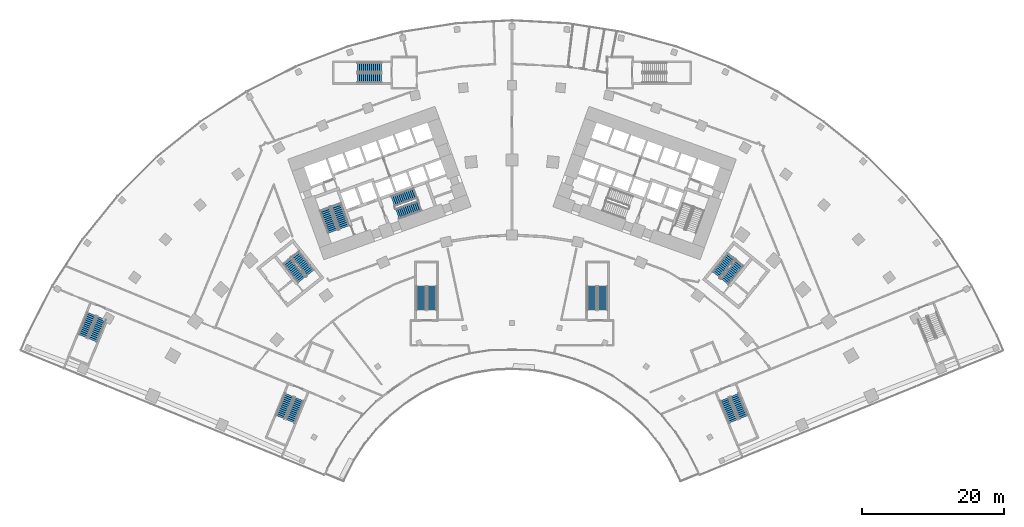
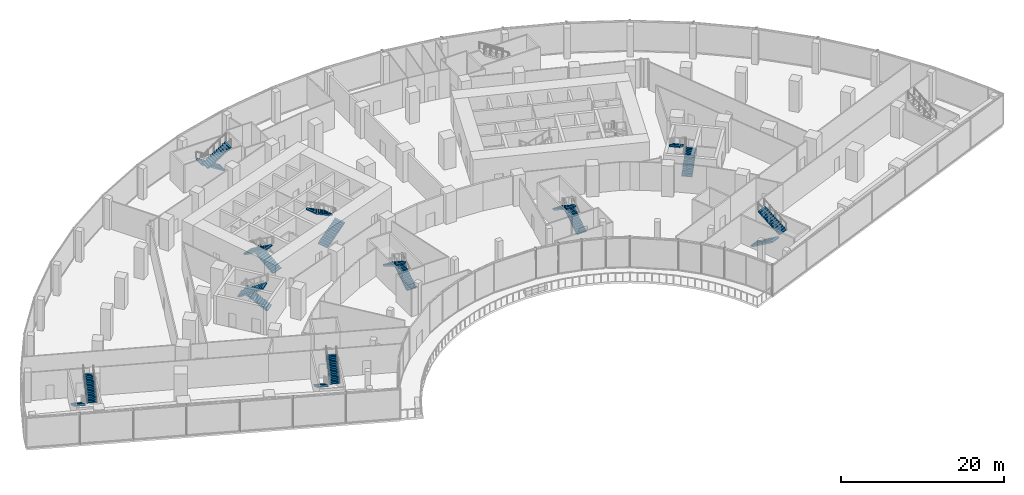
# One storey, part 30 of 39: 20 stair flights, 10 elements without a shape of their own.
"""IFC4 building model written with IfcOpenShell, lengths in metres."""

from ifc_helpers import new_model, si_unit, direction, frame, origin, place, context, subcontext, project, spatial, polyline, outline, extrude, material, layer, layer_set, type_object, element, aggregate, save


model = new_model("IFC4")

# Units and contexts
model_context = context("Model", 3, precision=1e-05, world=origin(), true_north=direction((0.0, 1.0)))
body_context = subcontext(model_context, "Body", "Model", "MODEL_VIEW")
ifc_project = project(units=[si_unit("LENGTHUNIT", "METRE"), si_unit("AREAUNIT", "SQUARE_METRE"), si_unit("VOLUMEUNIT", "CUBIC_METRE"), si_unit("PLANEANGLEUNIT", "RADIAN"), si_unit("MASSUNIT", "GRAM", prefix="KILO")], contexts=[model_context])

# Site, building, storey
site_placement = place(None, origin())
site = spatial("IfcSite", under=ifc_project, at=site_placement, CompositionType="ELEMENT")
building_placement = place(site_placement, origin())
building = spatial("IfcBuilding", under=site, at=building_placement, Name="Stone Belt Terrace Tower", CompositionType="ELEMENT")
storey_placement = place(building_placement, frame((0.0, 0.0, 20.800048828125)))
storey = spatial("IfcBuildingStorey", under=building, at=storey_placement, Name="L04", CompositionType="ELEMENT", Elevation=20.800048828125)

# Stair, stair flights
ifc_material_1 = material(Name="Concrete B30", Category="concrete")
stair_type_1 = type_object("IfcStairType", Name="Podium stair concrete B30", PredefinedType="HALF_TURN_STAIR", material=ifc_material_1)
stair_1_placement = place(storey_placement, origin())
stair_1 = element("IfcStair", 1, at=stair_1_placement, inside=storey, type_object=stair_type_1, Name="L04 podium exit stair 1", PredefinedType="HALF_TURN_STAIR")
ifc_layer = layer(ifc_material_1, 0.14990234375)
ifc_layer_set = layer_set([ifc_layer], Name="Podium stair flight concrete B30")
stair_flight_type_1 = type_object("IfcStairFlightType", Name="Podium stair flight concrete B30", PredefinedType="STRAIGHT", material=ifc_layer_set)
stair_flight_1_placement = place(storey_placement, frame((-31.255126953125, 21.964111328125, 0.0), z_axis=(0.0, 0.0, 1.0), x_axis=(-0.37924309334, -0.925297074541, 0.0)))
stair_flight_1 = element("IfcStairFlight", 2, at=stair_flight_1_placement, type_object=stair_flight_type_1, Name="PS1 flight 1", NumberOfRisers=13, NumberOfTreads=12, PredefinedType="STRAIGHT", RiserHeight=0.176923077, TreadLength=0.28, context=body_context, shape_type="SweptSolid", body=[
    extrude(outline(polyline([(0.0, 0.0), (0.0, 0.177001953125), (0.280029296875, 0.177001953125), (0.280029296875, 0.353759765625), (0.56005859375, 0.353759765625), (0.56005859375, 0.53076171875), (0.840087890625, 0.53076171875), (0.840087890625, 0.707763671875), (1.1201171875, 0.707763671875), (1.1201171875, 0.884521484375), (1.39990234375, 0.884521484375), (1.39990234375, 1.0615234375), (1.679931640625, 1.0615234375), (1.679931640625, 1.238525390625), (1.9599609375, 1.238525390625), (1.9599609375, 1.415283203125), (2.239990234375, 1.415283203125), (2.239990234375, 1.59228515625), (2.52001953125, 1.59228515625), (2.52001953125, 1.769287109375), (2.800048828125, 1.769287109375), (2.800048828125, 1.946044921875), (3.080078125, 1.946044921875), (3.080078125, 2.123046875), (3.360107421875, 2.123046875), (3.360107421875, 2.300048828125), (3.360107421875, 1.94580078125), (0.280517578125, 0.0), (0.0, 0.0)])), frame((0.0, 0.675048828125, 0.0), z_axis=(0.0, -1.0, 0.0), x_axis=(1.0, 0.0, 0.0)), (0.0, 0.0, 1.0), 1.35009765625),
])
stair_flight_2_placement = place(storey_placement, frame((-31.141357421875, 18.2861328125, 2.300048828125), z_axis=(0.0, 0.0, 1.0), x_axis=(0.37924309334, 0.925297074541, 0.0)))
stair_flight_2 = element("IfcStairFlight", 3, at=stair_flight_2_placement, type_object=stair_flight_type_1, Name="PS1 flight 2", NumberOfRisers=13, NumberOfTreads=12, PredefinedType="STRAIGHT", RiserHeight=0.176923077, TreadLength=0.28, context=body_context, shape_type="SweptSolid", body=[
    extrude(outline(polyline([(0.0, 0.0), (0.0, 0.177001953125), (0.280029296875, 0.177001953125), (0.280029296875, 0.353759765625), (0.56005859375, 0.353759765625), (0.56005859375, 0.53076171875), (0.840087890625, 0.53076171875), (0.840087890625, 0.707763671875), (1.1201171875, 0.707763671875), (1.1201171875, 0.884521484375), (1.39990234375, 0.884521484375), (1.39990234375, 1.0615234375), (1.679931640625, 1.0615234375), (1.679931640625, 1.238525390625), (1.9599609375, 1.238525390625), (1.9599609375, 1.415283203125), (2.239990234375, 1.415283203125), (2.239990234375, 1.59228515625), (2.52001953125, 1.59228515625), (2.52001953125, 1.769287109375), (2.800048828125, 1.769287109375), (2.800048828125, 1.946044921875), (3.080078125, 1.946044921875), (3.080078125, 2.123046875), (3.360107421875, 2.123046875), (3.360107421875, 2.300048828125), (3.360107421875, 1.94580078125), (0.280517578125, 0.0), (0.0, 0.0)])), frame((0.0, 0.675048828125, 0.0), z_axis=(0.0, -1.0, 0.0), x_axis=(1.0, 0.0, 0.0)), (0.0, 0.0, 1.0), 1.35009765625),
])
aggregate(stair_1, [stair_flight_1, stair_flight_2])

stair_2_placement = place(storey_placement, origin())
stair_2 = element("IfcStair", 4, at=stair_2_placement, inside=storey, type_object=stair_type_1, Name="L04 podium exit stair 2", PredefinedType="HALF_TURN_STAIR")
stair_flight_3_placement = place(storey_placement, frame((-59.01416015625, 33.34130859375, 0.0), z_axis=(0.0, 0.0, 1.0), x_axis=(-0.37924309334, -0.925297074541, 0.0)))
stair_flight_3 = element("IfcStairFlight", 5, at=stair_flight_3_placement, type_object=stair_flight_type_1, Name="PS2 flight 1", NumberOfRisers=13, NumberOfTreads=12, PredefinedType="STRAIGHT", RiserHeight=0.176923077, TreadLength=0.28, context=body_context, shape_type="SweptSolid", body=[
    extrude(outline(polyline([(0.0, 0.0), (0.0, 0.177001953125), (0.280029296875, 0.177001953125), (0.280029296875, 0.353759765625), (0.56005859375, 0.353759765625), (0.56005859375, 0.53076171875), (0.840087890625, 0.53076171875), (0.840087890625, 0.707763671875), (1.1201171875, 0.707763671875), (1.1201171875, 0.884521484375), (1.39990234375, 0.884521484375), (1.39990234375, 1.0615234375), (1.679931640625, 1.0615234375), (1.679931640625, 1.238525390625), (1.9599609375, 1.238525390625), (1.9599609375, 1.415283203125), (2.239990234375, 1.415283203125), (2.239990234375, 1.59228515625), (2.52001953125, 1.59228515625), (2.52001953125, 1.769287109375), (2.800048828125, 1.769287109375), (2.800048828125, 1.946044921875), (3.080078125, 1.946044921875), (3.080078125, 2.123046875), (3.360107421875, 2.123046875), (3.360107421875, 2.300048828125), (3.360107421875, 1.94580078125), (0.280517578125, 0.0), (0.0, 0.0)])), frame((0.0, 0.675048828125, 0.0), z_axis=(0.0, -1.0, 0.0), x_axis=(1.0, 0.0, 0.0)), (0.0, 0.0, 1.0), 1.35009765625),
])
stair_flight_4_placement = place(storey_placement, frame((-58.900390625, 29.66357421875, 2.300048828125), z_axis=(0.0, 0.0, 1.0), x_axis=(0.37924309334, 0.925297074541, 0.0)))
stair_flight_4 = element("IfcStairFlight", 6, at=stair_flight_4_placement, type_object=stair_flight_type_1, Name="PS2 flight 2", NumberOfRisers=13, NumberOfTreads=12, PredefinedType="STRAIGHT", RiserHeight=0.176923077, TreadLength=0.28, context=body_context, shape_type="SweptSolid", body=[
    extrude(outline(polyline([(0.0, 0.0), (0.0, 0.177001953125), (0.280029296875, 0.177001953125), (0.280029296875, 0.353759765625), (0.56005859375, 0.353759765625), (0.56005859375, 0.53076171875), (0.840087890625, 0.53076171875), (0.840087890625, 0.707763671875), (1.1201171875, 0.707763671875), (1.1201171875, 0.884521484375), (1.39990234375, 0.884521484375), (1.39990234375, 1.0615234375), (1.679931640625, 1.0615234375), (1.679931640625, 1.238525390625), (1.9599609375, 1.238525390625), (1.9599609375, 1.415283203125), (2.239990234375, 1.415283203125), (2.239990234375, 1.59228515625), (2.52001953125, 1.59228515625), (2.52001953125, 1.769287109375), (2.800048828125, 1.769287109375), (2.800048828125, 1.946044921875), (3.080078125, 1.946044921875), (3.080078125, 2.123046875), (3.360107421875, 2.123046875), (3.360107421875, 2.300048828125), (3.360107421875, 1.94580078125), (0.280517578125, 0.0), (0.0, 0.0)])), frame((0.0, 0.675048828125, 0.0), z_axis=(0.0, -1.0, 0.0), x_axis=(1.0, 0.0, 0.0)), (0.0, 0.0, 1.0), 1.35009765625),
])
aggregate(stair_2, [stair_flight_3, stair_flight_4])

stair_3_placement = place(storey_placement, origin())
stair_3 = element("IfcStair", 7, at=stair_3_placement, inside=storey, type_object=stair_type_1, Name="L04 podium exit stair 3", PredefinedType="HALF_TURN_STAIR")
stair_flight_5_placement = place(storey_placement, frame((29.8671875, 21.395263671875, 0.0), z_axis=(0.0, 0.0, 1.0), x_axis=(0.37924309334, -0.925297074541, 0.0)))
stair_flight_5 = element("IfcStairFlight", 8, at=stair_flight_5_placement, type_object=stair_flight_type_1, Name="PS3 flight 1", NumberOfRisers=13, NumberOfTreads=12, PredefinedType="STRAIGHT", RiserHeight=0.176923077, TreadLength=0.28, context=body_context, shape_type="SweptSolid", body=[
    extrude(outline(polyline([(0.0, 0.0), (0.0, 0.177001953125), (0.280029296875, 0.177001953125), (0.280029296875, 0.353759765625), (0.56005859375, 0.353759765625), (0.56005859375, 0.53076171875), (0.840087890625, 0.53076171875), (0.840087890625, 0.707763671875), (1.1201171875, 0.707763671875), (1.1201171875, 0.884521484375), (1.39990234375, 0.884521484375), (1.39990234375, 1.0615234375), (1.679931640625, 1.0615234375), (1.679931640625, 1.238525390625), (1.9599609375, 1.238525390625), (1.9599609375, 1.415283203125), (2.239990234375, 1.415283203125), (2.239990234375, 1.59228515625), (2.52001953125, 1.59228515625), (2.52001953125, 1.769287109375), (2.800048828125, 1.769287109375), (2.800048828125, 1.946044921875), (3.080078125, 1.946044921875), (3.080078125, 2.123046875), (3.360107421875, 2.123046875), (3.360107421875, 2.300048828125), (3.360107421875, 1.94580078125), (0.280517578125, 0.0), (0.0, 0.0)])), frame((0.0, 0.675048828125, 0.0), z_axis=(0.0, -1.0, 0.0), x_axis=(1.0, 0.0, 0.0)), (0.0, 0.0, 1.0), 1.35009765625),
])
stair_flight_6_placement = place(storey_placement, frame((32.529296875, 18.85498046875, 2.300048828125), z_axis=(0.0, 0.0, 1.0), x_axis=(-0.37924309334, 0.925297074541, 0.0)))
stair_flight_6 = element("IfcStairFlight", 9, at=stair_flight_6_placement, type_object=stair_flight_type_1, Name="PS3 flight 2", NumberOfRisers=13, NumberOfTreads=12, PredefinedType="STRAIGHT", RiserHeight=0.176923077, TreadLength=0.28, context=body_context, shape_type="SweptSolid", body=[
    extrude(outline(polyline([(0.0, 0.0), (0.0, 0.177001953125), (0.280029296875, 0.177001953125), (0.280029296875, 0.353759765625), (0.56005859375, 0.353759765625), (0.56005859375, 0.53076171875), (0.840087890625, 0.53076171875), (0.840087890625, 0.707763671875), (1.1201171875, 0.707763671875), (1.1201171875, 0.884521484375), (1.39990234375, 0.884521484375), (1.39990234375, 1.0615234375), (1.679931640625, 1.0615234375), (1.679931640625, 1.238525390625), (1.9599609375, 1.238525390625), (1.9599609375, 1.415283203125), (2.239990234375, 1.415283203125), (2.239990234375, 1.59228515625), (2.52001953125, 1.59228515625), (2.52001953125, 1.769287109375), (2.800048828125, 1.769287109375), (2.800048828125, 1.946044921875), (3.080078125, 1.946044921875), (3.080078125, 2.123046875), (3.360107421875, 2.123046875), (3.360107421875, 2.300048828125), (3.360107421875, 1.94580078125), (0.280517578125, 0.0), (0.0, 0.0)])), frame((0.0, 0.675048828125, 0.0), z_axis=(0.0, -1.0, 0.0), x_axis=(1.0, 0.0, 0.0)), (0.0, 0.0, 1.0), 1.35009765625),
])
aggregate(stair_3, [stair_flight_5, stair_flight_6])

stair_4_placement = place(storey_placement, origin())
stair_4 = element("IfcStair", 10, at=stair_4_placement, inside=storey, type_object=stair_type_1, Name="L04 podium exit stair 5", PredefinedType="HALF_TURN_STAIR")
stair_flight_7_placement = place(storey_placement, frame((-11.25, 33.889892578125, 0.0), z_axis=(0.0, 0.0, 1.0), x_axis=(0.0, 1.0, 0.0)))
stair_flight_7 = element("IfcStairFlight", 11, at=stair_flight_7_placement, type_object=stair_flight_type_1, Name="PS5 flight 1", NumberOfRisers=13, NumberOfTreads=12, PredefinedType="STRAIGHT", RiserHeight=0.176923077, TreadLength=0.28, context=body_context, shape_type="SweptSolid", body=[
    extrude(outline(polyline([(0.0, 0.0), (0.0, 0.177001953125), (0.280029296875, 0.177001953125), (0.280029296875, 0.353759765625), (0.56005859375, 0.353759765625), (0.56005859375, 0.53076171875), (0.840087890625, 0.53076171875), (0.840087890625, 0.707763671875), (1.1201171875, 0.707763671875), (1.1201171875, 0.884521484375), (1.39990234375, 0.884521484375), (1.39990234375, 1.0615234375), (1.679931640625, 1.0615234375), (1.679931640625, 1.238525390625), (1.9599609375, 1.238525390625), (1.9599609375, 1.415283203125), (2.239990234375, 1.415283203125), (2.239990234375, 1.59228515625), (2.52001953125, 1.59228515625), (2.52001953125, 1.769287109375), (2.800048828125, 1.769287109375), (2.800048828125, 1.946044921875), (3.080078125, 1.946044921875), (3.080078125, 2.123046875), (3.360107421875, 2.123046875), (3.360107421875, 2.300048828125), (3.360107421875, 1.94580078125), (0.280517578125, 0.0), (0.0, 0.0)])), frame((0.0, 0.675048828125, 0.0), z_axis=(0.0, -1.0, 0.0), x_axis=(1.0, 0.0, 0.0)), (0.0, 0.0, 1.0), 1.35009765625),
])
stair_flight_8_placement = place(storey_placement, frame((-12.75, 37.25, 2.300048828125), z_axis=(0.0, 0.0, 1.0), x_axis=(0.0, -1.0, 0.0)))
stair_flight_8 = element("IfcStairFlight", 12, at=stair_flight_8_placement, type_object=stair_flight_type_1, Name="PS5 flight 2", NumberOfRisers=13, NumberOfTreads=12, PredefinedType="STRAIGHT", RiserHeight=0.176923077, TreadLength=0.28, context=body_context, shape_type="SweptSolid", body=[
    extrude(outline(polyline([(0.0, 0.0), (0.0, 0.177001953125), (0.280029296875, 0.177001953125), (0.280029296875, 0.353759765625), (0.56005859375, 0.353759765625), (0.56005859375, 0.53076171875), (0.840087890625, 0.53076171875), (0.840087890625, 0.707763671875), (1.1201171875, 0.707763671875), (1.1201171875, 0.884521484375), (1.39990234375, 0.884521484375), (1.39990234375, 1.0615234375), (1.679931640625, 1.0615234375), (1.679931640625, 1.238525390625), (1.9599609375, 1.238525390625), (1.9599609375, 1.415283203125), (2.239990234375, 1.415283203125), (2.239990234375, 1.59228515625), (2.52001953125, 1.59228515625), (2.52001953125, 1.769287109375), (2.800048828125, 1.769287109375), (2.800048828125, 1.946044921875), (3.080078125, 1.946044921875), (3.080078125, 2.123046875), (3.360107421875, 2.123046875), (3.360107421875, 2.300048828125), (3.360107421875, 1.94580078125), (0.280517578125, 0.0), (0.0, 0.0)])), frame((0.0, 0.675048828125, 0.0), z_axis=(0.0, -1.0, 0.0), x_axis=(1.0, 0.0, 0.0)), (0.0, 0.0, 1.0), 1.35009765625),
])
aggregate(stair_4, [stair_flight_7, stair_flight_8])

stair_5_placement = place(storey_placement, origin())
stair_5 = element("IfcStair", 13, at=stair_5_placement, inside=storey, type_object=stair_type_1, Name="L04 podium exit stair 6", PredefinedType="HALF_TURN_STAIR")
stair_flight_9_placement = place(storey_placement, frame((12.75, 33.889892578125, 0.0), z_axis=(0.0, 0.0, 1.0), x_axis=(0.0, 1.0, 0.0)))
stair_flight_9 = element("IfcStairFlight", 14, at=stair_flight_9_placement, type_object=stair_flight_type_1, Name="PS6 flight 1", NumberOfRisers=13, NumberOfTreads=12, PredefinedType="STRAIGHT", RiserHeight=0.176923077, TreadLength=0.28, context=body_context, shape_type="SweptSolid", body=[
    extrude(outline(polyline([(0.0, 0.0), (0.0, 0.177001953125), (0.280029296875, 0.177001953125), (0.280029296875, 0.353759765625), (0.56005859375, 0.353759765625), (0.56005859375, 0.53076171875), (0.840087890625, 0.53076171875), (0.840087890625, 0.707763671875), (1.1201171875, 0.707763671875), (1.1201171875, 0.884521484375), (1.39990234375, 0.884521484375), (1.39990234375, 1.0615234375), (1.679931640625, 1.0615234375), (1.679931640625, 1.238525390625), (1.9599609375, 1.238525390625), (1.9599609375, 1.415283203125), (2.239990234375, 1.415283203125), (2.239990234375, 1.59228515625), (2.52001953125, 1.59228515625), (2.52001953125, 1.769287109375), (2.800048828125, 1.769287109375), (2.800048828125, 1.946044921875), (3.080078125, 1.946044921875), (3.080078125, 2.123046875), (3.360107421875, 2.123046875), (3.360107421875, 2.300048828125), (3.360107421875, 1.94580078125), (0.280517578125, 0.0), (0.0, 0.0)])), frame((0.0, 0.675048828125, 0.0), z_axis=(0.0, -1.0, 0.0), x_axis=(1.0, 0.0, 0.0)), (0.0, 0.0, 1.0), 1.35009765625),
])
stair_flight_10_placement = place(storey_placement, frame((11.25, 37.25, 2.300048828125), z_axis=(0.0, 0.0, 1.0), x_axis=(0.0, -1.0, 0.0)))
stair_flight_10 = element("IfcStairFlight", 15, at=stair_flight_10_placement, type_object=stair_flight_type_1, Name="PS6 flight 2", NumberOfRisers=13, NumberOfTreads=12, PredefinedType="STRAIGHT", RiserHeight=0.176923077, TreadLength=0.28, context=body_context, shape_type="SweptSolid", body=[
    extrude(outline(polyline([(0.0, 0.0), (0.0, 0.177001953125), (0.280029296875, 0.177001953125), (0.280029296875, 0.353759765625), (0.56005859375, 0.353759765625), (0.56005859375, 0.53076171875), (0.840087890625, 0.53076171875), (0.840087890625, 0.707763671875), (1.1201171875, 0.707763671875), (1.1201171875, 0.884521484375), (1.39990234375, 0.884521484375), (1.39990234375, 1.0615234375), (1.679931640625, 1.0615234375), (1.679931640625, 1.238525390625), (1.9599609375, 1.238525390625), (1.9599609375, 1.415283203125), (2.239990234375, 1.415283203125), (2.239990234375, 1.59228515625), (2.52001953125, 1.59228515625), (2.52001953125, 1.769287109375), (2.800048828125, 1.769287109375), (2.800048828125, 1.946044921875), (3.080078125, 1.946044921875), (3.080078125, 2.123046875), (3.360107421875, 2.123046875), (3.360107421875, 2.300048828125), (3.360107421875, 1.94580078125), (0.280517578125, 0.0), (0.0, 0.0)])), frame((0.0, 0.675048828125, 0.0), z_axis=(0.0, -1.0, 0.0), x_axis=(1.0, 0.0, 0.0)), (0.0, 0.0, 1.0), 1.35009765625),
])
aggregate(stair_5, [stair_flight_9, stair_flight_10])

stair_6_placement = place(storey_placement, origin())
stair_6 = element("IfcStair", 16, at=stair_6_placement, inside=storey, type_object=stair_type_1, Name="L04 podium exit stair 7", PredefinedType="HALF_TURN_STAIR")
stair_flight_11_placement = place(storey_placement, frame((-18.340087890625, 68.0, 0.0), z_axis=(0.0, 0.0, 1.0), x_axis=(-1.0, 0.0, 0.0)))
stair_flight_11 = element("IfcStairFlight", 17, at=stair_flight_11_placement, type_object=stair_flight_type_1, Name="PS7 flight 1", NumberOfRisers=13, NumberOfTreads=12, PredefinedType="STRAIGHT", RiserHeight=0.176923077, TreadLength=0.28, context=body_context, shape_type="SweptSolid", body=[
    extrude(outline(polyline([(0.0, 0.0), (0.0, 0.177001953125), (0.280029296875, 0.177001953125), (0.280029296875, 0.353759765625), (0.56005859375, 0.353759765625), (0.56005859375, 0.53076171875), (0.840087890625, 0.53076171875), (0.840087890625, 0.707763671875), (1.1201171875, 0.707763671875), (1.1201171875, 0.884521484375), (1.39990234375, 0.884521484375), (1.39990234375, 1.0615234375), (1.679931640625, 1.0615234375), (1.679931640625, 1.238525390625), (1.9599609375, 1.238525390625), (1.9599609375, 1.415283203125), (2.239990234375, 1.415283203125), (2.239990234375, 1.59228515625), (2.52001953125, 1.59228515625), (2.52001953125, 1.769287109375), (2.800048828125, 1.769287109375), (2.800048828125, 1.946044921875), (3.080078125, 1.946044921875), (3.080078125, 2.123046875), (3.360107421875, 2.123046875), (3.360107421875, 2.300048828125), (3.360107421875, 1.94580078125), (0.280517578125, 0.0), (0.0, 0.0)])), frame((0.0, 0.675048828125, 0.0), z_axis=(0.0, -1.0, 0.0), x_axis=(1.0, 0.0, 0.0)), (0.0, 0.0, 1.0), 1.35009765625),
])
stair_flight_12_placement = place(storey_placement, frame((-21.699951171875, 66.5, 2.300048828125), z_axis=(0.0, 0.0, 1.0), x_axis=(1.0, 0.0, 0.0)))
stair_flight_12 = element("IfcStairFlight", 18, at=stair_flight_12_placement, type_object=stair_flight_type_1, Name="PS7 flight 2", NumberOfRisers=13, NumberOfTreads=12, PredefinedType="STRAIGHT", RiserHeight=0.176923077, TreadLength=0.28, context=body_context, shape_type="SweptSolid", body=[
    extrude(outline(polyline([(0.0, 0.0), (0.0, 0.177001953125), (0.280029296875, 0.177001953125), (0.280029296875, 0.353759765625), (0.56005859375, 0.353759765625), (0.56005859375, 0.53076171875), (0.840087890625, 0.53076171875), (0.840087890625, 0.707763671875), (1.1201171875, 0.707763671875), (1.1201171875, 0.884521484375), (1.39990234375, 0.884521484375), (1.39990234375, 1.0615234375), (1.679931640625, 1.0615234375), (1.679931640625, 1.238525390625), (1.9599609375, 1.238525390625), (1.9599609375, 1.415283203125), (2.239990234375, 1.415283203125), (2.239990234375, 1.59228515625), (2.52001953125, 1.59228515625), (2.52001953125, 1.769287109375), (2.800048828125, 1.769287109375), (2.800048828125, 1.946044921875), (3.080078125, 1.946044921875), (3.080078125, 2.123046875), (3.360107421875, 2.123046875), (3.360107421875, 2.300048828125), (3.360107421875, 1.94580078125), (0.280517578125, 0.0), (0.0, 0.0)])), frame((0.0, 0.675048828125, 0.0), z_axis=(0.0, -1.0, 0.0), x_axis=(1.0, 0.0, 0.0)), (0.0, 0.0, 1.0), 1.35009765625),
])
aggregate(stair_6, [stair_flight_11, stair_flight_12])

ifc_material_2 = material(Name="Concrete B40", Category="concrete")
stair_type_2 = type_object("IfcStairType", Name="Exit stair 1500", PredefinedType="HALF_TURN_STAIR", material=ifc_material_2)
stair_7_placement = place(storey_placement, origin())
stair_7 = element("IfcStair", 19, at=stair_7_placement, inside=storey, type_object=stair_type_2, Name="L04 Exit stair 1 core A", PredefinedType="HALF_TURN_STAIR")
stair_flight_type_2 = type_object("IfcStairFlightType", Name="Stair flight 1500", PredefinedType="STRAIGHT", material=ifc_material_2)
stair_flight_13_placement = place(storey_placement, frame((-23.55322265625, 45.51318359375, 0.0), z_axis=(0.0, 0.0, 1.0), x_axis=(-0.338624396177, 0.940921632398, 0.0)))
stair_flight_13 = element("IfcStairFlight", 20, at=stair_flight_13_placement, type_object=stair_flight_type_2, Name="ST1A flight 1", NumberOfRisers=13, NumberOfTreads=12, PredefinedType="STRAIGHT", RiserHeight=0.176923077, TreadLength=0.28, context=body_context, shape_type="SweptSolid", body=[
    extrude(outline(polyline([(0.0, 0.0), (0.0, 0.177001953125), (0.280029296875, 0.177001953125), (0.280029296875, 0.353759765625), (0.56005859375, 0.353759765625), (0.56005859375, 0.53076171875), (0.840087890625, 0.53076171875), (0.840087890625, 0.707763671875), (1.1201171875, 0.707763671875), (1.1201171875, 0.884521484375), (1.39990234375, 0.884521484375), (1.39990234375, 1.0615234375), (1.679931640625, 1.0615234375), (1.679931640625, 1.238525390625), (1.9599609375, 1.238525390625), (1.9599609375, 1.415283203125), (2.239990234375, 1.415283203125), (2.239990234375, 1.59228515625), (2.52001953125, 1.59228515625), (2.52001953125, 1.769287109375), (2.800048828125, 1.769287109375), (2.800048828125, 1.946044921875), (3.080078125, 1.946044921875), (3.080078125, 2.123046875), (3.360107421875, 2.123046875), (3.360107421875, 2.300048828125), (3.360107421875, 1.94580078125), (0.280517578125, 0.0), (0.0, 0.0)])), frame((0.0, 0.75, 0.0), z_axis=(0.0, -1.0, 0.0), x_axis=(1.0, 0.0, 0.0)), (0.0, 0.0, 1.0), 1.5),
])
stair_flight_14_placement = place(storey_placement, frame((-26.290771484375, 48.098876953125, 2.300048828125), z_axis=(0.0, 0.0, 1.0), x_axis=(0.338624396177, -0.940921632398, 0.0)))
stair_flight_14 = element("IfcStairFlight", 21, at=stair_flight_14_placement, type_object=stair_flight_type_2, Name="ST1A flight 2", NumberOfRisers=13, NumberOfTreads=12, PredefinedType="STRAIGHT", RiserHeight=0.176923077, TreadLength=0.28, context=body_context, shape_type="SweptSolid", body=[
    extrude(outline(polyline([(0.0, 0.0), (0.0, 0.177001953125), (0.280029296875, 0.177001953125), (0.280029296875, 0.353759765625), (0.56005859375, 0.353759765625), (0.56005859375, 0.53076171875), (0.840087890625, 0.53076171875), (0.840087890625, 0.707763671875), (1.1201171875, 0.707763671875), (1.1201171875, 0.884521484375), (1.39990234375, 0.884521484375), (1.39990234375, 1.0615234375), (1.679931640625, 1.0615234375), (1.679931640625, 1.238525390625), (1.9599609375, 1.238525390625), (1.9599609375, 1.415283203125), (2.239990234375, 1.415283203125), (2.239990234375, 1.59228515625), (2.52001953125, 1.59228515625), (2.52001953125, 1.769287109375), (2.800048828125, 1.769287109375), (2.800048828125, 1.946044921875), (3.080078125, 1.946044921875), (3.080078125, 2.123046875), (3.360107421875, 2.123046875), (3.360107421875, 2.300048828125), (3.360107421875, 1.94580078125), (0.280517578125, 0.0), (0.0, 0.0)])), frame((0.0, 0.75, 0.0), z_axis=(0.0, -1.0, 0.0), x_axis=(1.0, 0.0, 0.0)), (0.0, 0.0, 1.0), 1.5),
])
aggregate(stair_7, [stair_flight_13, stair_flight_14])

stair_8_placement = place(storey_placement, origin())
stair_8 = element("IfcStair", 22, at=stair_8_placement, inside=storey, type_object=stair_type_2, Name="L04 Exit stair 2 core A", PredefinedType="HALF_TURN_STAIR")
stair_flight_15_placement = place(storey_placement, frame((-16.101318359375, 47.39794921875, 0.0), z_axis=(0.0, 0.0, 1.0), x_axis=(0.940921632398, 0.338624396177, 0.0)))
stair_flight_15 = element("IfcStairFlight", 23, at=stair_flight_15_placement, type_object=stair_flight_type_2, Name="ST2A flight 1", NumberOfRisers=13, NumberOfTreads=12, PredefinedType="STRAIGHT", RiserHeight=0.176923077, TreadLength=0.28, context=body_context, shape_type="SweptSolid", body=[
    extrude(outline(polyline([(0.0, 0.0), (0.0, 0.177001953125), (0.280029296875, 0.177001953125), (0.280029296875, 0.353759765625), (0.56005859375, 0.353759765625), (0.56005859375, 0.53076171875), (0.840087890625, 0.53076171875), (0.840087890625, 0.707763671875), (1.1201171875, 0.707763671875), (1.1201171875, 0.884521484375), (1.39990234375, 0.884521484375), (1.39990234375, 1.0615234375), (1.679931640625, 1.0615234375), (1.679931640625, 1.238525390625), (1.9599609375, 1.238525390625), (1.9599609375, 1.415283203125), (2.239990234375, 1.415283203125), (2.239990234375, 1.59228515625), (2.52001953125, 1.59228515625), (2.52001953125, 1.769287109375), (2.800048828125, 1.769287109375), (2.800048828125, 1.946044921875), (3.080078125, 1.946044921875), (3.080078125, 2.123046875), (3.360107421875, 2.123046875), (3.360107421875, 2.300048828125), (3.360107421875, 1.94580078125), (0.280517578125, 0.0), (0.0, 0.0)])), frame((0.0, 0.75, 0.0), z_axis=(0.0, -1.0, 0.0), x_axis=(1.0, 0.0, 0.0)), (0.0, 0.0, 1.0), 1.5),
])
stair_flight_16_placement = place(storey_placement, frame((-13.583251953125, 50.323486328125, 2.300048828125), z_axis=(0.0, 0.0, 1.0), x_axis=(-0.940921632398, -0.338624396177, 0.0)))
stair_flight_16 = element("IfcStairFlight", 24, at=stair_flight_16_placement, type_object=stair_flight_type_2, Name="ST2A flight 2", NumberOfRisers=13, NumberOfTreads=12, PredefinedType="STRAIGHT", RiserHeight=0.176923077, TreadLength=0.28, context=body_context, shape_type="SweptSolid", body=[
    extrude(outline(polyline([(0.0, 0.0), (0.0, 0.177001953125), (0.280029296875, 0.177001953125), (0.280029296875, 0.353759765625), (0.56005859375, 0.353759765625), (0.56005859375, 0.53076171875), (0.840087890625, 0.53076171875), (0.840087890625, 0.707763671875), (1.1201171875, 0.707763671875), (1.1201171875, 0.884521484375), (1.39990234375, 0.884521484375), (1.39990234375, 1.0615234375), (1.679931640625, 1.0615234375), (1.679931640625, 1.238525390625), (1.9599609375, 1.238525390625), (1.9599609375, 1.415283203125), (2.239990234375, 1.415283203125), (2.239990234375, 1.59228515625), (2.52001953125, 1.59228515625), (2.52001953125, 1.769287109375), (2.800048828125, 1.769287109375), (2.800048828125, 1.946044921875), (3.080078125, 1.946044921875), (3.080078125, 2.123046875), (3.360107421875, 2.123046875), (3.360107421875, 2.300048828125), (3.360107421875, 1.94580078125), (0.280517578125, 0.0), (0.0, 0.0)])), frame((0.0, 0.75, 0.0), z_axis=(0.0, -1.0, 0.0), x_axis=(1.0, 0.0, 0.0)), (0.0, 0.0, 1.0), 1.5),
])
aggregate(stair_8, [stair_flight_15, stair_flight_16])

stair_9_placement = place(storey_placement, origin())
stair_9 = element("IfcStair", 25, at=stair_9_placement, inside=storey, type_object=stair_type_2, Name="L04 Exit stair 3A", PredefinedType="HALF_TURN_STAIR")
stair_flight_17_placement = place(storey_placement, frame((-28.325439453125, 39.1240234375, 0.0), z_axis=(0.0, 0.0, 1.0), x_axis=(-0.623121363691, 0.782125160132, 0.0)))
stair_flight_17 = element("IfcStairFlight", 26, at=stair_flight_17_placement, type_object=stair_flight_type_2, Name="ST3A flight 1", NumberOfRisers=13, NumberOfTreads=12, PredefinedType="STRAIGHT", RiserHeight=0.176923077, TreadLength=0.28, context=body_context, shape_type="SweptSolid", body=[
    extrude(outline(polyline([(0.0, 0.0), (0.0, 0.177001953125), (0.280029296875, 0.177001953125), (0.280029296875, 0.353759765625), (0.56005859375, 0.353759765625), (0.56005859375, 0.53076171875), (0.840087890625, 0.53076171875), (0.840087890625, 0.707763671875), (1.1201171875, 0.707763671875), (1.1201171875, 0.884521484375), (1.39990234375, 0.884521484375), (1.39990234375, 1.0615234375), (1.679931640625, 1.0615234375), (1.679931640625, 1.238525390625), (1.9599609375, 1.238525390625), (1.9599609375, 1.415283203125), (2.239990234375, 1.415283203125), (2.239990234375, 1.59228515625), (2.52001953125, 1.59228515625), (2.52001953125, 1.769287109375), (2.800048828125, 1.769287109375), (2.800048828125, 1.946044921875), (3.080078125, 1.946044921875), (3.080078125, 2.123046875), (3.360107421875, 2.123046875), (3.360107421875, 2.300048828125), (3.360107421875, 1.94580078125), (0.280517578125, 0.0), (0.0, 0.0)])), frame((0.0, 0.675048828125, 0.0), z_axis=(0.0, -1.0, 0.0), x_axis=(1.0, 0.0, 0.0)), (0.0, 0.0, 1.0), 1.35009765625),
])
stair_flight_18_placement = place(storey_placement, frame((-31.63134765625, 40.7861328125, 2.300048828125), z_axis=(0.0, 0.0, 1.0), x_axis=(0.623121363691, -0.782125160132, 0.0)))
stair_flight_18 = element("IfcStairFlight", 27, at=stair_flight_18_placement, type_object=stair_flight_type_2, Name="ST3A flight 2", NumberOfRisers=13, NumberOfTreads=12, PredefinedType="STRAIGHT", RiserHeight=0.176923077, TreadLength=0.28, context=body_context, shape_type="SweptSolid", body=[
    extrude(outline(polyline([(0.0, 0.0), (0.0, 0.177001953125), (0.280029296875, 0.177001953125), (0.280029296875, 0.353759765625), (0.56005859375, 0.353759765625), (0.56005859375, 0.53076171875), (0.840087890625, 0.53076171875), (0.840087890625, 0.707763671875), (1.1201171875, 0.707763671875), (1.1201171875, 0.884521484375), (1.39990234375, 0.884521484375), (1.39990234375, 1.0615234375), (1.679931640625, 1.0615234375), (1.679931640625, 1.238525390625), (1.9599609375, 1.238525390625), (1.9599609375, 1.415283203125), (2.239990234375, 1.415283203125), (2.239990234375, 1.59228515625), (2.52001953125, 1.59228515625), (2.52001953125, 1.769287109375), (2.800048828125, 1.769287109375), (2.800048828125, 1.946044921875), (3.080078125, 1.946044921875), (3.080078125, 2.123046875), (3.360107421875, 2.123046875), (3.360107421875, 2.300048828125), (3.360107421875, 1.94580078125), (0.280517578125, 0.0), (0.0, 0.0)])), frame((0.0, 0.675048828125, 0.0), z_axis=(0.0, -1.0, 0.0), x_axis=(1.0, 0.0, 0.0)), (0.0, 0.0, 1.0), 1.35009765625),
])
aggregate(stair_9, [stair_flight_17, stair_flight_18])

stair_10_placement = place(storey_placement, origin())
stair_10 = element("IfcStair", 28, at=stair_10_placement, inside=storey, type_object=stair_type_2, Name="L04 Exit stair 3B", PredefinedType="HALF_TURN_STAIR")
stair_flight_19_placement = place(storey_placement, frame((29.88330078125, 37.887939453125, 0.0), z_axis=(0.0, 0.0, 1.0), x_axis=(0.630205749599, 0.776428176441, 0.0)))
stair_flight_19 = element("IfcStairFlight", 29, at=stair_flight_19_placement, type_object=stair_flight_type_2, Name="ST3B flight 1", NumberOfRisers=13, NumberOfTreads=12, PredefinedType="STRAIGHT", RiserHeight=0.176923077, TreadLength=0.28, context=body_context, shape_type="SweptSolid", body=[
    extrude(outline(polyline([(0.0, 0.0), (0.0, 0.177001953125), (0.280029296875, 0.177001953125), (0.280029296875, 0.353759765625), (0.56005859375, 0.353759765625), (0.56005859375, 0.53076171875), (0.840087890625, 0.53076171875), (0.840087890625, 0.707763671875), (1.1201171875, 0.707763671875), (1.1201171875, 0.884521484375), (1.39990234375, 0.884521484375), (1.39990234375, 1.0615234375), (1.679931640625, 1.0615234375), (1.679931640625, 1.238525390625), (1.9599609375, 1.238525390625), (1.9599609375, 1.415283203125), (2.239990234375, 1.415283203125), (2.239990234375, 1.59228515625), (2.52001953125, 1.59228515625), (2.52001953125, 1.769287109375), (2.800048828125, 1.769287109375), (2.800048828125, 1.946044921875), (3.080078125, 1.946044921875), (3.080078125, 2.123046875), (3.360107421875, 2.123046875), (3.360107421875, 2.300048828125), (3.360107421875, 1.94580078125), (0.280517578125, 0.0), (0.0, 0.0)])), frame((0.0, 0.675048828125, 0.0), z_axis=(0.0, -1.0, 0.0), x_axis=(1.0, 0.0, 0.0)), (0.0, 0.0, 1.0), 1.35009765625),
])
stair_flight_20_placement = place(storey_placement, frame((30.79736328125, 41.4736328125, 2.300048828125), z_axis=(0.0, 0.0, 1.0), x_axis=(-0.630205749599, -0.776428176441, 0.0)))
stair_flight_20 = element("IfcStairFlight", 30, at=stair_flight_20_placement, type_object=stair_flight_type_2, Name="ST3B flight 2", NumberOfRisers=13, NumberOfTreads=12, PredefinedType="STRAIGHT", RiserHeight=0.176923077, TreadLength=0.28, context=body_context, shape_type="SweptSolid", body=[
    extrude(outline(polyline([(0.0, 0.0), (0.0, 0.177001953125), (0.280029296875, 0.177001953125), (0.280029296875, 0.353759765625), (0.56005859375, 0.353759765625), (0.56005859375, 0.53076171875), (0.840087890625, 0.53076171875), (0.840087890625, 0.707763671875), (1.1201171875, 0.707763671875), (1.1201171875, 0.884521484375), (1.39990234375, 0.884521484375), (1.39990234375, 1.0615234375), (1.679931640625, 1.0615234375), (1.679931640625, 1.238525390625), (1.9599609375, 1.238525390625), (1.9599609375, 1.415283203125), (2.239990234375, 1.415283203125), (2.239990234375, 1.59228515625), (2.52001953125, 1.59228515625), (2.52001953125, 1.769287109375), (2.800048828125, 1.769287109375), (2.800048828125, 1.946044921875), (3.080078125, 1.946044921875), (3.080078125, 2.123046875), (3.360107421875, 2.123046875), (3.360107421875, 2.300048828125), (3.360107421875, 1.94580078125), (0.280517578125, 0.0), (0.0, 0.0)])), frame((0.0, 0.675048828125, 0.0), z_axis=(0.0, -1.0, 0.0), x_axis=(1.0, 0.0, 0.0)), (0.0, 0.0, 1.0), 1.35009765625),
])
aggregate(stair_10, [stair_flight_19, stair_flight_20])

save(model, "model.ifc")
